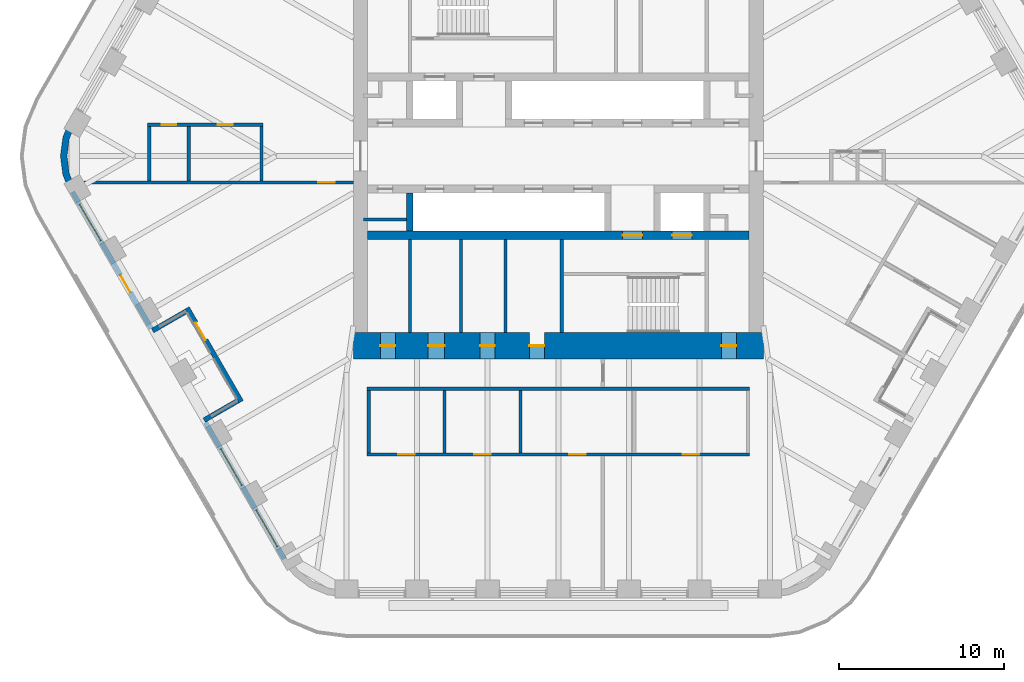
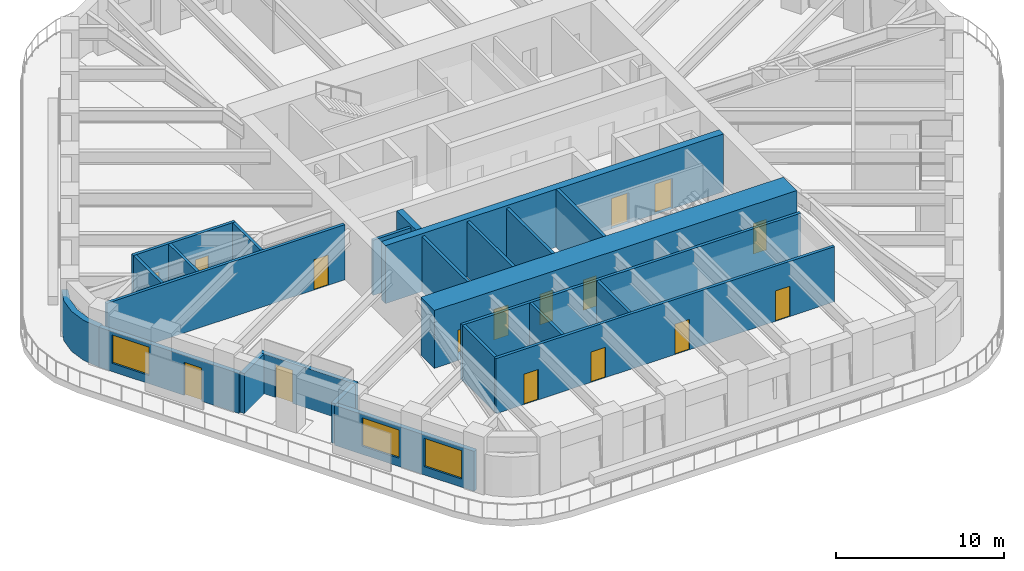
# One storey, part 13 of 19: 24 walls, 16 doors, 3 windows, 19 openings.
"""IFC4 building model written with IfcOpenShell, lengths in metres."""

from ifc_helpers import new_model, si_unit, direction, frame, frame_2d, origin, place, context, subcontext, project, spatial, polyline, rectangle, outline, extrude, material, layer, layer_set, type_object, element, fill, save


model = new_model("IFC4")

# Units and contexts
model_context = context("Model", 3, precision=1e-05, world=origin(), true_north=direction((0.0, 1.0)))
body_context = subcontext(model_context, "Body", "Model", "MODEL_VIEW")
ifc_project = project(units=[si_unit("LENGTHUNIT", "METRE"), si_unit("AREAUNIT", "SQUARE_METRE"), si_unit("VOLUMEUNIT", "CUBIC_METRE"), si_unit("PLANEANGLEUNIT", "RADIAN"), si_unit("MASSUNIT", "GRAM", prefix="KILO")], contexts=[model_context])

# Site, building, storey
site_placement = place(None, origin())
site = spatial("IfcSite", under=ifc_project, at=site_placement, CompositionType="ELEMENT")
building_placement = place(site_placement, origin())
building = spatial("IfcBuilding", under=site, at=building_placement, Name="Tarfa Lantern Tower", CompositionType="ELEMENT")
storey_placement = place(building_placement, frame((0.0, 0.0, 328.300048828125)))
storey = spatial("IfcBuildingStorey", under=building, at=storey_placement, Name="L74", CompositionType="ELEMENT", Elevation=328.300048828125)

# Wall, openings, door, window
ifc_material_1 = material(Name="Limestone cladding on blockwork", Category="masonry")
ifc_layer_1 = layer(ifc_material_1, 0.300048828125)
ifc_layer_set_1 = layer_set([ifc_layer_1], Name="EW1 STONE-CLAD WALL 300")
wall_type_1 = type_object("IfcWallType", Name="EW1 STONE-CLAD WALL 300", PredefinedType="SOLIDWALL", material=ifc_layer_set_1)
wall_1_placement = place(storey_placement, frame((-29.459228515625, -2.175048828125, 0.0), z_axis=(0.0, 0.0, 1.0), x_axis=(0.499996453679, -0.866027451244, 0.0)))
wall_1 = element("IfcWall", 1, at=wall_1_placement, inside=storey, type_object=wall_type_1, Name="Stone wall SW", PredefinedType="SOLIDWALL", context=body_context, shape_type="SweptSolid", body=[
    extrude(rectangle(XDim=9.56396484375, YDim=0.300048828125, at=frame_2d((4.781982421875, 0.0))), origin(), (0.0, 0.0, 1.0), 2.89990234375),
])
opening_1_placement = place(wall_1_placement, frame((0.865966796875, 0.0, 0.60009765625)))
opening_1 = element("IfcOpeningElement", 2, at=opening_1_placement, cuts=wall_1, Name="Opening W17", PredefinedType="OPENING", context=body_context, shape_type="SweptSolid", body=[
    extrude(rectangle(XDim=2.550048828125, YDim=2.050048828125, at=frame_2d((1.27490234375, 1.02490234375))), frame((0.0, 0.159912109375, 0.0), z_axis=(0.0, -1.0, 0.0), x_axis=(1.0, 0.0, 0.0)), (0.0, 0.0, 1.0), 0.320068359375),
])
opening_2_placement = place(wall_1_placement, frame((5.822998046875, 0.0, 0.0)))
opening_2 = element("IfcOpeningElement", 3, at=opening_2_placement, cuts=wall_1, Name="Opening D41", PredefinedType="OPENING", context=body_context, shape_type="SweptSolid", body=[
    extrude(rectangle(XDim=1.199951171875, YDim=2.39990234375, at=frame_2d((0.60009765625, 1.199951171875))), frame((0.0, 0.159912109375, 0.0), z_axis=(0.0, -1.0, 0.0), x_axis=(1.0, 0.0, 0.0)), (0.0, 0.0, 1.0), 0.320068359375),
])
ifc_material_2 = material(Name="Aluminium framed glazed door", Category="aluminium")
door_type_1 = type_object("IfcDoorType", Name="BE3 BALCONY DOOR 1200x2400", OperationType="SINGLE_SWING_RIGHT", PredefinedType="DOOR", material=ifc_material_2)
door_1_placement = place(opening_2_placement, origin())
door_1 = element("IfcDoor", 4, at=door_1_placement, inside=storey, type_object=door_type_1, Name="Balcony door SW", OperationType="SINGLE_SWING_LEFT", OverallHeight=2.39990234375, OverallWidth=1.199951171875, PredefinedType="DOOR", context=body_context, shape_type="SweptSolid", body=[
    extrude(rectangle(XDim=1.199951171875, YDim=2.39990234375, at=frame_2d((0.60009765625, 1.199951171875))), frame((0.0, 0.02490234375, 0.0), z_axis=(0.0, -1.0, 0.0), x_axis=(1.0, 0.0, 0.0)), (0.0, 0.0, 1.0), 0.050048828125),
])
fill(opening_2, door_1)
ifc_material_3 = material(Name="Aluminium frame, double glazed", Category="aluminium")
window_type = type_object("IfcWindowType", Name="W17 FULL-HEIGHT GLAZING 2550x2050", PartitioningType="SINGLE_PANEL", PredefinedType="WINDOW", material=ifc_material_3)
window_1_placement = place(opening_1_placement, origin())
window_1 = element("IfcWindow", 5, at=window_1_placement, inside=storey, type_object=window_type, Name="Window SW 1", OverallHeight=2.050048828125, OverallWidth=2.550048828125, PartitioningType="SINGLE_PANEL", PredefinedType="WINDOW", context=body_context, shape_type="SweptSolid", body=[
    extrude(rectangle(XDim=2.550048828125, YDim=2.050048828125, at=frame_2d((1.27490234375, 1.02490234375))), frame((0.0, 0.030029296875, 0.0), z_axis=(0.0, -1.0, 0.0), x_axis=(1.0, 0.0, 0.0)), (0.0, 0.0, 1.0), 0.06005859375),
])
fill(opening_1, window_1)

# Wall, openings, windows
wall_2_placement = place(storey_placement, frame((-21.395263671875, -16.142333984375, 0.0), z_axis=(0.0, 0.0, 1.0), x_axis=(0.499996453679, -0.866027451244, 0.0)))
wall_2 = element("IfcWall", 6, at=wall_2_placement, inside=storey, type_object=wall_type_1, Name="Stone wall SWB", PredefinedType="SOLIDWALL", context=body_context, shape_type="SweptSolid", body=[
    extrude(rectangle(XDim=9.56396484375, YDim=0.300048828125, at=frame_2d((4.781982421875, 0.0))), origin(), (0.0, 0.0, 1.0), 2.89990234375),
])
opening_3_placement = place(wall_2_placement, frame((1.865966796875, 0.0, 0.60009765625)))
opening_3 = element("IfcOpeningElement", 7, at=opening_3_placement, cuts=wall_2, Name="Opening W17", PredefinedType="OPENING", context=body_context, shape_type="SweptSolid", body=[
    extrude(rectangle(XDim=2.550048828125, YDim=2.050048828125, at=frame_2d((1.27490234375, 1.02490234375))), frame((0.0, 0.159912109375, 0.0), z_axis=(0.0, -1.0, 0.0), x_axis=(1.0, 0.0, 0.0)), (0.0, 0.0, 1.0), 0.320068359375),
])
opening_4_placement = place(wall_2_placement, frame((6.14794921875, 0.0, 0.60009765625)))
opening_4 = element("IfcOpeningElement", 8, at=opening_4_placement, cuts=wall_2, Name="Opening W17", PredefinedType="OPENING", context=body_context, shape_type="SweptSolid", body=[
    extrude(rectangle(XDim=2.550048828125, YDim=2.050048828125, at=frame_2d((1.27490234375, 1.02490234375))), frame((0.0, 0.159912109375, 0.0), z_axis=(0.0, -1.0, 0.0), x_axis=(1.0, 0.0, 0.0)), (0.0, 0.0, 1.0), 0.320068359375),
])
window_2_placement = place(opening_3_placement, origin())
window_2 = element("IfcWindow", 9, at=window_2_placement, inside=storey, type_object=window_type, Name="Window SWB 1", OverallHeight=2.050048828125, OverallWidth=2.550048828125, PartitioningType="SINGLE_PANEL", PredefinedType="WINDOW", context=body_context, shape_type="SweptSolid", body=[
    extrude(rectangle(XDim=2.550048828125, YDim=2.050048828125, at=frame_2d((1.27490234375, 1.02490234375))), frame((0.0, 0.030029296875, 0.0), z_axis=(0.0, -1.0, 0.0), x_axis=(1.0, 0.0, 0.0)), (0.0, 0.0, 1.0), 0.06005859375),
])
fill(opening_3, window_2)
window_3_placement = place(opening_4_placement, origin())
window_3 = element("IfcWindow", 10, at=window_3_placement, inside=storey, type_object=window_type, Name="Window SWB 2", OverallHeight=2.050048828125, OverallWidth=2.550048828125, PartitioningType="SINGLE_PANEL", PredefinedType="WINDOW", context=body_context, shape_type="SweptSolid", body=[
    extrude(rectangle(XDim=2.550048828125, YDim=2.050048828125, at=frame_2d((1.27490234375, 1.02490234375))), frame((0.0, 0.030029296875, 0.0), z_axis=(0.0, -1.0, 0.0), x_axis=(1.0, 0.0, 0.0)), (0.0, 0.0, 1.0), 0.06005859375),
])
fill(opening_4, window_3)

# Walls
for number, where, z_axis, x_axis, name in (
    (11, (-24.602294921875, -10.587646484375, 0.0), (0.0, 0.0, 1.0), (0.866016039709, 0.500016218704, 0.0), "Terrace return SW 1"),
    (12, (-21.47021484375, -16.012451171875, 0.0), (0.0, 0.0, 1.0), (0.866016039709, 0.500016218704, 0.0), "Terrace return SW 2"),
):
    element("IfcWall", number, at=place(storey_placement, frame(where, z_axis=z_axis, x_axis=x_axis)), inside=storey, type_object=wall_type_1, Name=name, PredefinedType="SOLIDWALL", context=body_context, shape_type="SweptSolid", body=[
        extrude(rectangle(XDim=2.35009765625, YDim=0.300048828125, at=frame_2d((1.175048828125, 0.0))), origin(), (0.0, 0.0, 1.0), 2.89990234375),
    ])

# Wall, opening, door
wall_3_placement = place(storey_placement, frame((-22.51220703125, -9.207763671875, 0.0), z_axis=(0.0, 0.0, 1.0), x_axis=(0.499999339774, -0.866025784966, 0.0)))
wall_3 = element("IfcWall", 13, at=wall_3_placement, inside=storey, type_object=wall_type_1, Name="Stone wall SWS", PredefinedType="SOLIDWALL", context=body_context, shape_type="SweptSolid", body=[
    extrude(rectangle(XDim=6.56396484375, YDim=0.300048828125, at=frame_2d((3.281982421875, 0.0))), origin(), (0.0, 0.0, 1.0), 2.89990234375),
])
opening_5_placement = place(wall_3_placement, frame((1.041015625, 0.0, 0.0)))
opening_5 = element("IfcOpeningElement", 14, at=opening_5_placement, cuts=wall_3, Name="Opening D42", PredefinedType="OPENING", context=body_context, shape_type="SweptSolid", body=[
    extrude(rectangle(XDim=1.199951171875, YDim=2.39990234375, at=frame_2d((0.60009765625, 1.199951171875))), frame((0.0, 0.159912109375, 0.0), z_axis=(0.0, -1.0, 0.0), x_axis=(1.0, 0.0, 0.0)), (0.0, 0.0, 1.0), 0.320068359375),
])
door_2_placement = place(opening_5_placement, origin())
door_2 = element("IfcDoor", 15, at=door_2_placement, inside=storey, type_object=door_type_1, Name="Balcony door SWS", OperationType="SINGLE_SWING_RIGHT", OverallHeight=2.39990234375, OverallWidth=1.199951171875, PredefinedType="DOOR", context=body_context, shape_type="SweptSolid", body=[
    extrude(rectangle(XDim=1.199951171875, YDim=2.39990234375, at=frame_2d((0.60009765625, 1.199951171875))), frame((0.0, 0.02490234375, 0.0), z_axis=(0.0, -1.0, 0.0), x_axis=(1.0, 0.0, 0.0)), (0.0, 0.0, 1.0), 0.050048828125),
])
fill(opening_5, door_2)

# Walls
ifc_layer_2 = layer(ifc_material_1, 0.39990234375)
ifc_layer_set_2 = layer_set([ifc_layer_2], Name="EW2 CURVED STONE CORNER 400")
wall_type_2 = type_object("IfcWallType", Name="EW2 CURVED STONE CORNER 400", PredefinedType="SOLIDWALL", material=ifc_layer_set_2)
wall_4_placement = place(storey_placement, origin())
element("IfcWall", 16, at=wall_4_placement, inside=storey, type_object=wall_type_2, Name="Stone corner NW-SW", PredefinedType="SOLIDWALL", context=body_context, shape_type="SweptSolid", body=[
    extrude(outline(polyline([(-29.589111328125, 2.25), (-30.038818359375, 1.164794921875), (-30.192138671875, 0.0), (-30.038818359375, -1.164794921875), (-29.589111328125, -2.25), (-29.24267578125, -2.050048828125), (-29.65234375, -1.061279296875), (-29.7919921875, 0.0), (-29.65234375, 1.061279296875), (-29.24267578125, 2.050048828125), (-29.589111328125, 2.25)])), origin(), (0.0, 0.0, 1.0), 2.89990234375),
])
ifc_material_4 = material(Name="Concrete blockwork", Category="masonry")
ifc_layer_3 = layer(ifc_material_4, 0.199951171875)
ifc_layer_set_3 = layer_set([ifc_layer_3], Name="IW1 BLOCKWORK PARTITION 200 EI 120")
wall_type_3 = type_object("IfcWallType", Name="IW1 BLOCKWORK PARTITION 200 EI 120", PredefinedType="PARTITIONING", material=ifc_layer_set_3)
for number, where, z_axis, x_axis, name in (
    (17, (-9.0, -5.050048828125, 0.0), (0.0, 0.0, 1.0), (0.0, -1.0, 0.0), "Core partition"),
    (18, (-3.199951171875, -5.050048828125, 0.0), (0.0, 0.0, 1.0), (0.0, -1.0, 0.0), "Core partition"),
    (19, (-5.89990234375, -5.050048828125, 0.0), (0.0, 0.0, 1.0), (0.0, -1.0, 0.0), "Core partition"),
):
    element("IfcWall", number, at=place(storey_placement, frame(where, z_axis=z_axis, x_axis=x_axis)), inside=storey, type_object=wall_type_3, Name=name, PredefinedType="PARTITIONING", context=body_context, shape_type="SweptSolid", body=[
        extrude(rectangle(XDim=5.64990234375, YDim=0.199951171875, at=frame_2d((2.824951171875, 0.0))), origin(), (0.0, 0.0, 1.0), 4.0),
    ])
wall_5_placement = place(storey_placement, frame((-9.199951171875, -3.85009765625, 0.0), z_axis=(0.0, 0.0, 1.0), x_axis=(-1.0, 0.0, 0.0)))
element("IfcWall", 20, at=wall_5_placement, inside=storey, type_object=wall_type_3, Name="Core partition", PredefinedType="PARTITIONING", context=body_context, shape_type="SweptSolid", body=[
    extrude(rectangle(XDim=2.60009765625, YDim=0.199951171875, at=frame_2d((1.300048828125, 0.0))), origin(), (0.0, 0.0, 1.0), 4.0),
])
ifc_material_5 = material(Name="Gypsum board on steel studs", Category="steel")
ifc_layer_4 = layer(ifc_material_5, 0.2099609375)
ifc_layer_set_4 = layer_set([ifc_layer_4], Name="IW2 ACOUSTIC PARTITION 200")
wall_type_4 = type_object("IfcWallType", Name="IW2 ACOUSTIC PARTITION 200", PredefinedType="PARTITIONING", material=ifc_layer_set_4)
wall_6_placement = place(storey_placement, frame((11.60009765625, -14.10009765625, 0.0), z_axis=(0.0, 0.0, 1.0), x_axis=(-1.0, 0.0, 0.0)))
element("IfcWall", 21, at=wall_6_placement, inside=storey, type_object=wall_type_4, Name="Partition", PredefinedType="PARTITIONING", context=body_context, shape_type="SweptSolid", body=[
    extrude(rectangle(XDim=23.2001953125, YDim=0.199951171875, at=frame_2d((11.60009765625, 0.0))), origin(), (0.0, 0.0, 1.0), 4.0),
])

# Wall, openings, doors
wall_7_placement = place(storey_placement, frame((11.60009765625, -18.10009765625, 0.0), z_axis=(0.0, 0.0, 1.0), x_axis=(-1.0, 0.0, 0.0)))
wall_7 = element("IfcWall", 22, at=wall_7_placement, inside=storey, type_object=wall_type_4, Name="Partition", PredefinedType="PARTITIONING", context=body_context, shape_type="SweptSolid", body=[
    extrude(rectangle(XDim=23.2001953125, YDim=0.199951171875, at=frame_2d((11.60009765625, 0.0))), origin(), (0.0, 0.0, 1.0), 4.0),
])
opening_6_placement = place(wall_7_placement, frame((3.050048828125, 0.0, 0.0)))
opening_6 = element("IfcOpeningElement", 23, at=opening_6_placement, cuts=wall_7, Name="Opening D26", PredefinedType="OPENING", context=body_context, shape_type="SweptSolid", body=[
    extrude(rectangle(XDim=1.0, YDim=2.199951171875, at=frame_2d((0.5, 1.10009765625))), frame((0.0, 0.10986328125, 0.0), z_axis=(0.0, -1.0, 0.0), x_axis=(1.0, 0.0, 0.0)), (0.0, 0.0, 1.0), 0.219970703125),
])
opening_7_placement = place(wall_7_placement, frame((9.949951171875, 0.0, 0.0)))
opening_7 = element("IfcOpeningElement", 24, at=opening_7_placement, cuts=wall_7, Name="Opening D27", PredefinedType="OPENING", context=body_context, shape_type="SweptSolid", body=[
    extrude(rectangle(XDim=1.0, YDim=2.199951171875, at=frame_2d((0.5, 1.10009765625))), frame((0.0, 0.10986328125, 0.0), z_axis=(0.0, -1.0, 0.0), x_axis=(1.0, 0.0, 0.0)), (0.0, 0.0, 1.0), 0.219970703125),
])
opening_8_placement = place(wall_7_placement, frame((15.699951171875, 0.0, 0.0)))
opening_8 = element("IfcOpeningElement", 25, at=opening_8_placement, cuts=wall_7, Name="Opening D28", PredefinedType="OPENING", context=body_context, shape_type="SweptSolid", body=[
    extrude(rectangle(XDim=1.0, YDim=2.199951171875, at=frame_2d((0.5, 1.10009765625))), frame((0.0, 0.10986328125, 0.0), z_axis=(0.0, -1.0, 0.0), x_axis=(1.0, 0.0, 0.0)), (0.0, 0.0, 1.0), 0.219970703125),
])
opening_9_placement = place(wall_7_placement, frame((20.300048828125, 0.0, 0.0)))
opening_9 = element("IfcOpeningElement", 26, at=opening_9_placement, cuts=wall_7, Name="Opening D29", PredefinedType="OPENING", context=body_context, shape_type="SweptSolid", body=[
    extrude(rectangle(XDim=1.0, YDim=2.199951171875, at=frame_2d((0.5, 1.10009765625))), frame((0.0, 0.10986328125, 0.0), z_axis=(0.0, -1.0, 0.0), x_axis=(1.0, 0.0, 0.0)), (0.0, 0.0, 1.0), 0.219970703125),
])
ifc_material_6 = material(Name="Timber door", Category="wood")
door_type_2 = type_object("IfcDoorType", Name="DR1 ROOM DOOR 1000x2200", OperationType="SINGLE_SWING_LEFT", PredefinedType="DOOR", material=ifc_material_6)
door_3_placement = place(opening_6_placement, frame((1.0, 0.0, 0.0), z_axis=(0.0, 0.0, 1.0), x_axis=(-1.0, 0.0, 0.0)))
door_3 = element("IfcDoor", 27, at=door_3_placement, inside=storey, type_object=door_type_2, Name="Meeting room door", OperationType="SINGLE_SWING_LEFT", OverallHeight=2.199951171875, OverallWidth=1.0, PredefinedType="DOOR", context=body_context, shape_type="SweptSolid", body=[
    extrude(rectangle(XDim=1.0, YDim=2.199951171875, at=frame_2d((0.5, 1.10009765625))), frame((0.0, 0.02490234375, 0.0), z_axis=(0.0, -1.0, 0.0), x_axis=(1.0, 0.0, 0.0)), (0.0, 0.0, 1.0), 0.050048828125),
])
fill(opening_6, door_3)
door_4_placement = place(opening_7_placement, frame((1.0, 0.0, 0.0), z_axis=(0.0, 0.0, 1.0), x_axis=(-1.0, 0.0, 0.0)))
door_4 = element("IfcDoor", 28, at=door_4_placement, inside=storey, type_object=door_type_2, Name="Reading room door", OperationType="SINGLE_SWING_LEFT", OverallHeight=2.199951171875, OverallWidth=1.0, PredefinedType="DOOR", context=body_context, shape_type="SweptSolid", body=[
    extrude(rectangle(XDim=1.0, YDim=2.199951171875, at=frame_2d((0.5, 1.10009765625))), frame((0.0, 0.02490234375, 0.0), z_axis=(0.0, -1.0, 0.0), x_axis=(1.0, 0.0, 0.0)), (0.0, 0.0, 1.0), 0.050048828125),
])
fill(opening_7, door_4)
door_5_placement = place(opening_8_placement, frame((1.0, 0.0, 0.0), z_axis=(0.0, 0.0, 1.0), x_axis=(-1.0, 0.0, 0.0)))
door_5 = element("IfcDoor", 29, at=door_5_placement, inside=storey, type_object=door_type_2, Name="Private lounge door", OperationType="SINGLE_SWING_RIGHT", OverallHeight=2.199951171875, OverallWidth=1.0, PredefinedType="DOOR", context=body_context, shape_type="SweptSolid", body=[
    extrude(rectangle(XDim=1.0, YDim=2.199951171875, at=frame_2d((0.5, 1.10009765625))), frame((0.0, 0.02490234375, 0.0), z_axis=(0.0, -1.0, 0.0), x_axis=(1.0, 0.0, 0.0)), (0.0, 0.0, 1.0), 0.050048828125),
])
fill(opening_8, door_5)
door_6_placement = place(opening_9_placement, frame((1.0, 0.0, 0.0), z_axis=(0.0, 0.0, 1.0), x_axis=(-1.0, 0.0, 0.0)))
door_6 = element("IfcDoor", 30, at=door_6_placement, inside=storey, type_object=door_type_2, Name="Pantry door", OperationType="SINGLE_SWING_RIGHT", OverallHeight=2.199951171875, OverallWidth=1.0, PredefinedType="DOOR", context=body_context, shape_type="SweptSolid", body=[
    extrude(rectangle(XDim=1.0, YDim=2.199951171875, at=frame_2d((0.5, 1.10009765625))), frame((0.0, 0.02490234375, 0.0), z_axis=(0.0, -1.0, 0.0), x_axis=(1.0, 0.0, 0.0)), (0.0, 0.0, 1.0), 0.050048828125),
])
fill(opening_9, door_6)

# Walls
for number, where, z_axis, x_axis, name in (
    (31, (-2.300048828125, -14.199951171875, 0.0), (0.0, 0.0, 1.0), (0.0, -1.0, 0.0), "Partition"),
    (32, (-6.89990234375, -14.199951171875, 0.0), (0.0, 0.0, 1.0), (0.0, -1.0, 0.0), "Partition"),
    (33, (-11.5, -14.199951171875, 0.0), (0.0, 0.0, 1.0), (0.0, -1.0, 0.0), "Partition"),
):
    element("IfcWall", number, at=place(storey_placement, frame(where, z_axis=z_axis, x_axis=x_axis)), inside=storey, type_object=wall_type_4, Name=name, PredefinedType="PARTITIONING", context=body_context, shape_type="SweptSolid", body=[
        extrude(rectangle(XDim=3.800048828125, YDim=0.199951171875, at=frame_2d((1.89990234375, 0.0))), origin(), (0.0, 0.0, 1.0), 4.0),
    ])

# Wall, opening, door
wall_8_placement = place(storey_placement, frame((-12.425048828125, -1.60009765625, 0.0), z_axis=(0.0, 0.0, 1.0), x_axis=(-1.0, 0.0, 0.0)))
wall_8 = element("IfcWall", 34, at=wall_8_placement, inside=storey, type_object=wall_type_4, Name="Partition", PredefinedType="PARTITIONING", context=body_context, shape_type="SweptSolid", body=[
    extrude(rectangle(XDim=16.326904296875, YDim=0.199951171875, at=frame_2d((8.16357421875, 0.0))), origin(), (0.0, 0.0, 1.0), 4.0),
])
opening_10_placement = place(wall_8_placement, frame((1.1328125, 0.0, 0.0)))
opening_10 = element("IfcOpeningElement", 35, at=opening_10_placement, cuts=wall_8, Name="Opening D36", PredefinedType="OPENING", context=body_context, shape_type="SweptSolid", body=[
    extrude(rectangle(XDim=1.0, YDim=2.199951171875, at=frame_2d((0.5, 1.10009765625))), frame((0.0, 0.10986328125, 0.0), z_axis=(0.0, -1.0, 0.0), x_axis=(1.0, 0.0, 0.0)), (0.0, 0.0, 1.0), 0.219970703125),
])
door_7_placement = place(opening_10_placement, origin())
door_7 = element("IfcDoor", 36, at=door_7_placement, inside=storey, type_object=door_type_2, Name="Zone door", OperationType="SINGLE_SWING_RIGHT", OverallHeight=2.199951171875, OverallWidth=1.0, PredefinedType="DOOR", context=body_context, shape_type="SweptSolid", body=[
    extrude(rectangle(XDim=1.0, YDim=2.199951171875, at=frame_2d((0.5, 1.10009765625))), frame((0.0, 0.02490234375, 0.0), z_axis=(0.0, -1.0, 0.0), x_axis=(1.0, 0.0, 0.0)), (0.0, 0.0, 1.0), 0.050048828125),
])
fill(opening_10, door_7)

# Wall, openings, doors
wall_9_placement = place(storey_placement, frame((-17.90478515625, 1.89990234375, 0.0), z_axis=(0.0, 0.0, 1.0), x_axis=(-1.0, 0.0, 0.0)))
wall_9 = element("IfcWall", 37, at=wall_9_placement, inside=storey, type_object=wall_type_4, Name="Partition", PredefinedType="PARTITIONING", context=body_context, shape_type="SweptSolid", body=[
    extrude(rectangle(XDim=7.0, YDim=0.199951171875, at=frame_2d((3.5, 0.0))), origin(), (0.0, 0.0, 1.0), 4.0),
])
opening_11_placement = place(wall_9_placement, frame((1.85009765625, 0.0, 0.0)))
opening_11 = element("IfcOpeningElement", 38, at=opening_11_placement, cuts=wall_9, Name="Opening D30", PredefinedType="OPENING", context=body_context, shape_type="SweptSolid", body=[
    extrude(rectangle(XDim=0.89990234375, YDim=2.199951171875, at=frame_2d((0.449951171875, 1.10009765625))), frame((0.0, 0.10986328125, 0.0), z_axis=(0.0, -1.0, 0.0), x_axis=(1.0, 0.0, 0.0)), (0.0, 0.0, 1.0), 0.219970703125),
])
opening_12_placement = place(wall_9_placement, frame((5.25, 0.0, 0.0)))
opening_12 = element("IfcOpeningElement", 39, at=opening_12_placement, cuts=wall_9, Name="Opening D31", PredefinedType="OPENING", context=body_context, shape_type="SweptSolid", body=[
    extrude(rectangle(XDim=0.89990234375, YDim=2.199951171875, at=frame_2d((0.449951171875, 1.10009765625))), frame((0.0, 0.10986328125, 0.0), z_axis=(0.0, -1.0, 0.0), x_axis=(1.0, 0.0, 0.0)), (0.0, 0.0, 1.0), 0.219970703125),
])
door_type_3 = type_object("IfcDoorType", Name="DR3 ROOM DOOR 900x2200", OperationType="SINGLE_SWING_LEFT", PredefinedType="DOOR", material=ifc_material_6)
door_8_placement = place(opening_11_placement, origin())
door_8 = element("IfcDoor", 40, at=door_8_placement, inside=storey, type_object=door_type_3, Name="Project room door", OperationType="SINGLE_SWING_RIGHT", OverallHeight=2.199951171875, OverallWidth=0.89990234375, PredefinedType="DOOR", context=body_context, shape_type="SweptSolid", body=[
    extrude(rectangle(XDim=0.89990234375, YDim=2.199951171875, at=frame_2d((0.449951171875, 1.10009765625))), frame((0.0, 0.02490234375, 0.0), z_axis=(0.0, -1.0, 0.0), x_axis=(1.0, 0.0, 0.0)), (0.0, 0.0, 1.0), 0.050048828125),
])
fill(opening_11, door_8)
door_9_placement = place(opening_12_placement, origin())
door_9 = element("IfcDoor", 41, at=door_9_placement, inside=storey, type_object=door_type_3, Name="Print and copy room door", OperationType="SINGLE_SWING_LEFT", OverallHeight=2.199951171875, OverallWidth=0.89990234375, PredefinedType="DOOR", context=body_context, shape_type="SweptSolid", body=[
    extrude(rectangle(XDim=0.89990234375, YDim=2.199951171875, at=frame_2d((0.449951171875, 1.10009765625))), frame((0.0, 0.02490234375, 0.0), z_axis=(0.0, -1.0, 0.0), x_axis=(1.0, 0.0, 0.0)), (0.0, 0.0, 1.0), 0.050048828125),
])
fill(opening_12, door_9)

# Walls
for number, where, z_axis, x_axis, name in (
    (42, (-18.0048828125, -1.5, 0.0), (0.0, 0.0, 1.0), (0.0, 1.0, 0.0), "Partition"),
    (43, (-22.40478515625, -1.5, 0.0), (0.0, 0.0, 1.0), (0.0, 1.0, 0.0), "Partition"),
    (44, (-24.804931640625, -1.5, 0.0), (0.0, 0.0, 1.0), (0.0, 1.0, 0.0), "Partition"),
):
    element("IfcWall", number, at=place(storey_placement, frame(where, z_axis=z_axis, x_axis=x_axis)), inside=storey, type_object=wall_type_4, Name=name, PredefinedType="PARTITIONING", context=body_context, shape_type="SweptSolid", body=[
        extrude(rectangle(XDim=3.300048828125, YDim=0.199951171875, at=frame_2d((1.64990234375, 0.0))), origin(), (0.0, 0.0, 1.0), 4.0),
    ])
ifc_material_7 = material(Name="Concrete C80/95", Category="concrete")
ifc_layer_5 = layer(ifc_material_7, 0.199951171875)
ifc_layer_set_5 = layer_set([ifc_layer_5], Name="SW12 CORE WALL 200")
wall_type_5 = type_object("IfcWallType", Name="SW12 CORE WALL 200", PredefinedType="SHEAR", material=ifc_layer_set_5)
wall_10_placement = place(storey_placement, frame((0.199951171875, -5.050048828125, 0.0), z_axis=(0.0, 0.0, 1.0), x_axis=(0.0, -1.0, 0.0)))
element("IfcWall", 45, at=wall_10_placement, inside=storey, type_object=wall_type_5, Name="Core wall stair shaft S", PredefinedType="SHEAR", context=body_context, shape_type="SweptSolid", body=[
    extrude(rectangle(XDim=5.64990234375, YDim=0.199951171875, at=frame_2d((2.824951171875, 0.0))), origin(), (0.0, 0.0, 1.0), 4.199951171875),
])

# Wall, openings, doors
ifc_layer_6 = layer(ifc_material_7, 0.5)
ifc_layer_set_6 = layer_set([ifc_layer_6], Name="SW5 CORE WALL 500")
wall_type_6 = type_object("IfcWallType", Name="SW5 CORE WALL 500", PredefinedType="SHEAR", material=ifc_layer_set_6)
wall_11_placement = place(storey_placement, frame((11.574951171875, -4.800048828125, 0.0), z_axis=(0.0, 0.0, 1.0), x_axis=(-1.0, 0.0, 0.0)))
wall_11 = element("IfcWall", 46, at=wall_11_placement, inside=storey, type_object=wall_type_6, Name="Core wall rear S", PredefinedType="SHEAR", context=body_context, shape_type="SweptSolid", body=[
    extrude(rectangle(XDim=23.14990234375, YDim=0.5, at=frame_2d((11.574951171875, 0.0))), origin(), (0.0, 0.0, 1.0), 4.199951171875),
])
opening_13_placement = place(wall_11_placement, frame((6.47509765625, 0.0, 0.0)))
opening_13 = element("IfcOpeningElement", 47, at=opening_13_placement, cuts=wall_11, Name="Opening D06", PredefinedType="OPENING", context=body_context, shape_type="SweptSolid", body=[
    extrude(rectangle(XDim=1.199951171875, YDim=2.199951171875, at=frame_2d((0.60009765625, 1.10009765625))), frame((0.0, 0.260009765625, 0.0), z_axis=(0.0, -1.0, 0.0), x_axis=(1.0, 0.0, 0.0)), (0.0, 0.0, 1.0), 0.52001953125),
])
opening_14_placement = place(wall_11_placement, frame((3.47509765625, 0.0, 0.0)))
opening_14 = element("IfcOpeningElement", 48, at=opening_14_placement, cuts=wall_11, Name="Opening LD02", PredefinedType="OPENING", context=body_context, shape_type="SweptSolid", body=[
    extrude(rectangle(XDim=1.199951171875, YDim=2.199951171875, at=frame_2d((0.60009765625, 1.10009765625))), frame((0.0, 0.260009765625, 0.0), z_axis=(0.0, -1.0, 0.0), x_axis=(1.0, 0.0, 0.0)), (0.0, 0.0, 1.0), 0.52001953125),
])
ifc_material_8 = material(Name="Steel fire door", Category="steel")
door_type_4 = type_object("IfcDoorType", Name="DF1 FIREFIGHTING LOBBY DOOR 1200x2200", OperationType="SINGLE_SWING_LEFT", PredefinedType="DOOR", material=ifc_material_8)
door_10_placement = place(opening_13_placement, origin())
door_10 = element("IfcDoor", 49, at=door_10_placement, inside=storey, type_object=door_type_4, Name="Firefighting lobby door", OperationType="SINGLE_SWING_LEFT", OverallHeight=2.199951171875, OverallWidth=1.199951171875, PredefinedType="DOOR", context=body_context, shape_type="SweptSolid", body=[
    extrude(rectangle(XDim=1.199951171875, YDim=2.199951171875, at=frame_2d((0.60009765625, 1.10009765625))), frame((0.0, 0.02490234375, 0.0), z_axis=(0.0, -1.0, 0.0), x_axis=(1.0, 0.0, 0.0)), (0.0, 0.0, 1.0), 0.050048828125),
])
fill(opening_13, door_10)
ifc_material_9 = material(Name="Stainless steel lift door", Category="steel")
door_type_5 = type_object("IfcDoorType", Name="LD1 LIFT LANDING DOOR 1200x2200", OperationType="SLIDING_TO_LEFT", PredefinedType="DOOR", material=ifc_material_9)
door_11_placement = place(opening_14_placement, origin())
door_11 = element("IfcDoor", 50, at=door_11_placement, inside=storey, type_object=door_type_5, Name="Landing door FL2", OperationType="SLIDING_TO_LEFT", OverallHeight=2.199951171875, OverallWidth=1.199951171875, PredefinedType="DOOR", context=body_context, shape_type="SweptSolid", body=[
    extrude(rectangle(XDim=1.199951171875, YDim=2.199951171875, at=frame_2d((0.60009765625, 1.10009765625))), frame((0.0, 0.02490234375, 0.0), z_axis=(0.0, -1.0, 0.0), x_axis=(1.0, 0.0, 0.0)), (0.0, 0.0, 1.0), 0.050048828125),
])
fill(opening_14, door_11)

# Wall
ifc_layer_7 = layer(ifc_material_7, 0.39990234375)
ifc_layer_set_7 = layer_set([ifc_layer_7], Name="SW6 CORE WALL 400")
wall_type_7 = type_object("IfcWallType", Name="SW6 CORE WALL 400", PredefinedType="SHEAR", material=ifc_layer_set_7)
wall_12_placement = place(storey_placement, frame((-9.0, -2.25, 0.0), z_axis=(0.0, 0.0, 1.0), x_axis=(0.0, -1.0, 0.0)))
element("IfcWall", 51, at=wall_12_placement, inside=storey, type_object=wall_type_7, Name="Core wall divider S", PredefinedType="SHEAR", context=body_context, shape_type="SweptSolid", body=[
    extrude(rectangle(XDim=2.300048828125, YDim=0.39990234375, at=frame_2d((1.14990234375, 0.0))), origin(), (0.0, 0.0, 1.0), 4.199951171875),
])

# Wall, openings, doors
ifc_layer_8 = layer(ifc_material_7, 1.60009765625)
ifc_layer_set_8 = layer_set([ifc_layer_8], Name="SW7 CORE WALL 1600")
wall_type_8 = type_object("IfcWallType", Name="SW7 CORE WALL 1600", PredefinedType="SHEAR", material=ifc_layer_set_8)
wall_13_placement = place(storey_placement, frame((12.425048828125, -11.5, 0.0), z_axis=(0.0, 0.0, 1.0), x_axis=(-1.0, 0.0, 0.0)))
wall_13 = element("IfcWall", 52, at=wall_13_placement, inside=storey, type_object=wall_type_8, Name="Core wall S", PredefinedType="SHEAR", context=body_context, shape_type="SweptSolid", body=[
    extrude(rectangle(XDim=24.85009765625, YDim=1.60009765625, at=frame_2d((12.425048828125, 0.0))), origin(), (0.0, 0.0, 1.0), 4.199951171875),
])
opening_15_placement = place(wall_13_placement, frame((13.27490234375, 0.0, 0.0)))
opening_15 = element("IfcOpeningElement", 53, at=opening_15_placement, cuts=wall_13, Name="Opening D14", PredefinedType="OPENING", context=body_context, shape_type="SweptSolid", body=[
    extrude(rectangle(XDim=0.89990234375, YDim=2.199951171875, at=frame_2d((0.449951171875, 1.10009765625))), frame((0.0, 0.81005859375, 0.0), z_axis=(0.0, -1.0, 0.0), x_axis=(1.0, 0.0, 0.0)), (0.0, 0.0, 1.0), 1.6201171875),
])
opening_16_placement = place(wall_13_placement, frame((16.27490234375, 0.0, 0.0)))
opening_16 = element("IfcOpeningElement", 54, at=opening_16_placement, cuts=wall_13, Name="Opening D16", PredefinedType="OPENING", context=body_context, shape_type="SweptSolid", body=[
    extrude(rectangle(XDim=0.89990234375, YDim=2.199951171875, at=frame_2d((0.449951171875, 1.10009765625))), frame((0.0, 0.81005859375, 0.0), z_axis=(0.0, -1.0, 0.0), x_axis=(1.0, 0.0, 0.0)), (0.0, 0.0, 1.0), 1.6201171875),
])
opening_17_placement = place(wall_13_placement, frame((19.324951171875, 0.0, 0.0)))
opening_17 = element("IfcOpeningElement", 55, at=opening_17_placement, cuts=wall_13, Name="Opening D18", PredefinedType="OPENING", context=body_context, shape_type="SweptSolid", body=[
    extrude(rectangle(XDim=1.0, YDim=2.199951171875, at=frame_2d((0.5, 1.10009765625))), frame((0.0, 0.81005859375, 0.0), z_axis=(0.0, -1.0, 0.0), x_axis=(1.0, 0.0, 0.0)), (0.0, 0.0, 1.0), 1.6201171875),
])
opening_18_placement = place(wall_13_placement, frame((1.637451171875, 0.0, 0.0)))
opening_18 = element("IfcOpeningElement", 56, at=opening_18_placement, cuts=wall_13, Name="Opening D04", PredefinedType="OPENING", context=body_context, shape_type="SweptSolid", body=[
    extrude(rectangle(XDim=0.89990234375, YDim=2.199951171875, at=frame_2d((0.449951171875, 1.10009765625))), frame((0.0, 0.81005859375, 0.0), z_axis=(0.0, -1.0, 0.0), x_axis=(1.0, 0.0, 0.0)), (0.0, 0.0, 1.0), 1.6201171875),
])
opening_19_placement = place(wall_13_placement, frame((22.3125, 0.0, 0.0)))
opening_19 = element("IfcOpeningElement", 57, at=opening_19_placement, cuts=wall_13, Name="Opening D02", PredefinedType="OPENING", context=body_context, shape_type="SweptSolid", body=[
    extrude(rectangle(XDim=0.89990234375, YDim=2.199951171875, at=frame_2d((0.449951171875, 1.10009765625))), frame((0.0, 0.81005859375, 0.0), z_axis=(0.0, -1.0, 0.0), x_axis=(1.0, 0.0, 0.0)), (0.0, 0.0, 1.0), 1.6201171875),
])
door_type_6 = type_object("IfcDoorType", Name="DF3 CORE ROOM DOOR 900x2200", OperationType="SINGLE_SWING_LEFT", PredefinedType="DOOR", material=ifc_material_8)
door_12_placement = place(opening_15_placement, frame((0.89990234375, 0.0, 0.0), z_axis=(0.0, 0.0, 1.0), x_axis=(-1.0, 0.0, 0.0)))
door_12 = element("IfcDoor", 58, at=door_12_placement, inside=storey, type_object=door_type_6, Name="Core door", OperationType="SINGLE_SWING_LEFT", OverallHeight=2.199951171875, OverallWidth=0.89990234375, PredefinedType="DOOR", context=body_context, shape_type="SweptSolid", body=[
    extrude(rectangle(XDim=0.89990234375, YDim=2.199951171875, at=frame_2d((0.449951171875, 1.10009765625))), frame((0.0, 0.02490234375, 0.0), z_axis=(0.0, -1.0, 0.0), x_axis=(1.0, 0.0, 0.0)), (0.0, 0.0, 1.0), 0.050048828125),
])
fill(opening_15, door_12)
door_13_placement = place(opening_16_placement, frame((0.89990234375, 0.0, 0.0), z_axis=(0.0, 0.0, 1.0), x_axis=(-1.0, 0.0, 0.0)))
door_13 = element("IfcDoor", 59, at=door_13_placement, inside=storey, type_object=door_type_6, Name="Core door", OperationType="SINGLE_SWING_LEFT", OverallHeight=2.199951171875, OverallWidth=0.89990234375, PredefinedType="DOOR", context=body_context, shape_type="SweptSolid", body=[
    extrude(rectangle(XDim=0.89990234375, YDim=2.199951171875, at=frame_2d((0.449951171875, 1.10009765625))), frame((0.0, 0.02490234375, 0.0), z_axis=(0.0, -1.0, 0.0), x_axis=(1.0, 0.0, 0.0)), (0.0, 0.0, 1.0), 0.050048828125),
])
fill(opening_16, door_13)
door_type_7 = type_object("IfcDoorType", Name="DF4 CORE ROOM DOOR 1000x2200", OperationType="SINGLE_SWING_LEFT", PredefinedType="DOOR", material=ifc_material_8)
door_14_placement = place(opening_17_placement, frame((1.0, 0.0, 0.0), z_axis=(0.0, 0.0, 1.0), x_axis=(-1.0, 0.0, 0.0)))
door_14 = element("IfcDoor", 60, at=door_14_placement, inside=storey, type_object=door_type_7, Name="Core door", OperationType="SINGLE_SWING_LEFT", OverallHeight=2.199951171875, OverallWidth=1.0, PredefinedType="DOOR", context=body_context, shape_type="SweptSolid", body=[
    extrude(rectangle(XDim=1.0, YDim=2.199951171875, at=frame_2d((0.5, 1.10009765625))), frame((0.0, 0.02490234375, 0.0), z_axis=(0.0, -1.0, 0.0), x_axis=(1.0, 0.0, 0.0)), (0.0, 0.0, 1.0), 0.050048828125),
])
fill(opening_17, door_14)
door_type_8 = type_object("IfcDoorType", Name="DF5 RISER DOOR 900x2200", OperationType="SINGLE_SWING_LEFT", PredefinedType="DOOR", material=ifc_material_8)
door_15_placement = place(opening_18_placement, frame((0.89990234375, 0.0, 0.0), z_axis=(0.0, 0.0, 1.0), x_axis=(-1.0, 0.0, 0.0)))
door_15 = element("IfcDoor", 61, at=door_15_placement, inside=storey, type_object=door_type_8, Name="Riser door", OperationType="SINGLE_SWING_LEFT", OverallHeight=2.199951171875, OverallWidth=0.89990234375, PredefinedType="DOOR", context=body_context, shape_type="SweptSolid", body=[
    extrude(rectangle(XDim=0.89990234375, YDim=2.199951171875, at=frame_2d((0.449951171875, 1.10009765625))), frame((0.0, 0.02490234375, 0.0), z_axis=(0.0, -1.0, 0.0), x_axis=(1.0, 0.0, 0.0)), (0.0, 0.0, 1.0), 0.050048828125),
])
fill(opening_18, door_15)
door_16_placement = place(opening_19_placement, frame((0.89990234375, 0.0, 0.0), z_axis=(0.0, 0.0, 1.0), x_axis=(-1.0, 0.0, 0.0)))
door_16 = element("IfcDoor", 62, at=door_16_placement, inside=storey, type_object=door_type_8, Name="Riser door", OperationType="SINGLE_SWING_RIGHT", OverallHeight=2.199951171875, OverallWidth=0.89990234375, PredefinedType="DOOR", context=body_context, shape_type="SweptSolid", body=[
    extrude(rectangle(XDim=0.89990234375, YDim=2.199951171875, at=frame_2d((0.449951171875, 1.10009765625))), frame((0.0, 0.02490234375, 0.0), z_axis=(0.0, -1.0, 0.0), x_axis=(1.0, 0.0, 0.0)), (0.0, 0.0, 1.0), 0.050048828125),
])
fill(opening_19, door_16)

save(model, "model.ifc")
